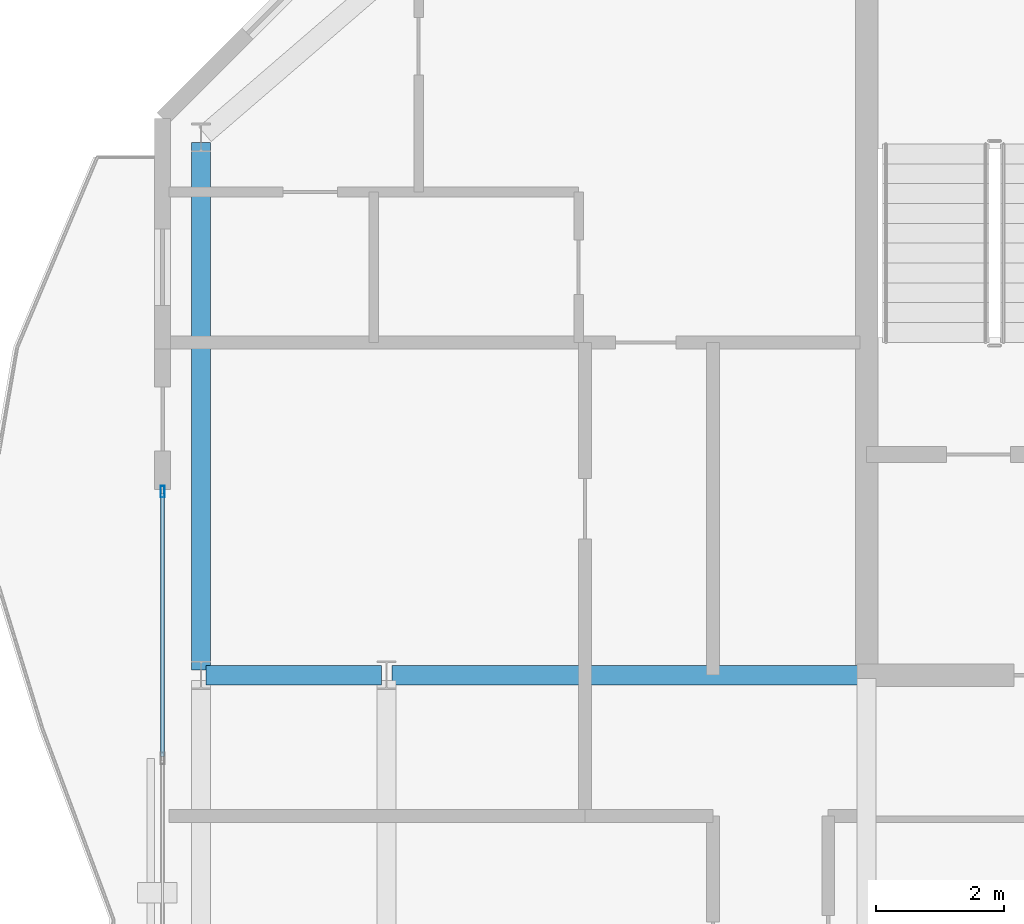
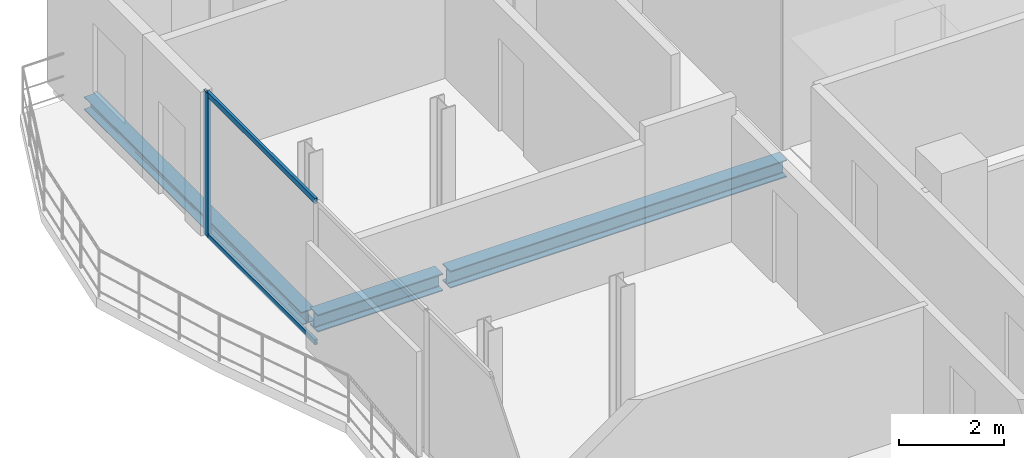
# One storey, part 9 of 23: 3 beams, 3 members, 1 element without a shape of its own.
"""IFC4 building model written with IfcOpenShell, lengths in metres."""

import ifcopenshell
import ifcopenshell.guid

model = None  # the IFC model being written
_history = None  # IfcOwnerHistory: only IFC2X3 demands one
_inside = {}  # id of a spatial element -> (the spatial element, [elements in it])
_under = {}  # id of a project, library or spatial element -> (it, [spatial elements below it])
_declared = {}  # id of a project -> (the project, [libraries it declares])
_typed = {}  # id of a type object -> (the type object, [elements of that type])
_made_of = {}  # id of a material, layer set ... -> (it, [elements and type objects made of it])


def new_model(schema):
    """Start an empty IFC model of exactly this schema.

    Asked for "IFC4X3", IfcOpenShell would pick the latest addendum, in which some entities
    have other attributes; the version numbers below select the first issue.
    IFC2X3 requires an IfcOwnerHistory on every rooted entity: one is made here for all.
    """
    global model, _history
    if schema == "IFC4X3":
        model = ifcopenshell.file(schema_version=(4, 3, 0, 0))
    else:
        model = ifcopenshell.file(schema=schema)
    _inside.clear()
    _under.clear()
    _declared.clear()
    _typed.clear()
    _made_of.clear()
    _history = None
    if model.schema == "IFC2X3":
        org = make("IfcOrganization", Name="unknown")
        user = make(
            "IfcPersonAndOrganization",
            ThePerson=make("IfcPerson", FamilyName="unknown"),
            TheOrganization=org,
        )
        app = make(
            "IfcApplication",
            ApplicationDeveloper=org,
            Version="unknown",
            ApplicationFullName="unknown",
            ApplicationIdentifier="unknown",
        )
        _history = make(
            "IfcOwnerHistory",
            OwningUser=user,
            OwningApplication=app,
            ChangeAction="ADDED",
            CreationDate=0,
        )
    return model


def make(cls, **values):
    """One entity of the class cls with the attributes given. An attribute that is None is left unset."""
    return model.create_entity(
        cls, **{name: value for name, value in values.items() if value is not None}
    )


def rooted(cls, **values):
    """An entity with a GlobalId (a new one), such as an element, a storey or a relation."""
    return make(cls, GlobalId=ifcopenshell.guid.new(), OwnerHistory=_history, **values)


def si_unit(unit_type, name, prefix=None):
    """IfcSIUnit, for example si_unit("LENGTHUNIT", "METRE", prefix="MILLI")."""
    return make("IfcSIUnit", UnitType=unit_type, Prefix=prefix, Name=name)


def assignment(units):
    """IfcUnitAssignment: the units of a project."""
    return None if units is None else make("IfcUnitAssignment", Units=units)


def point(xyz):
    """IfcCartesianPoint."""
    return None if xyz is None else make("IfcCartesianPoint", Coordinates=xyz)


def direction(xyz):
    """IfcDirection."""
    return None if xyz is None else make("IfcDirection", DirectionRatios=xyz)


def frame(location, z_axis=None, x_axis=None):
    """IfcAxis2Placement3D, a coordinate frame: its origin and axes. An axis left out is left unset."""
    return make(
        "IfcAxis2Placement3D",
        Location=point(location),
        Axis=direction(z_axis),
        RefDirection=direction(x_axis),
    )


def frame_2d(location, x_axis=None):
    """IfcAxis2Placement2D, a coordinate frame in the plane: its origin and x axis."""
    return make(
        "IfcAxis2Placement2D", Location=point(location), RefDirection=direction(x_axis)
    )


def origin():
    """The frame at (0, 0, 0) with its axes left unset."""
    return frame((0.0, 0.0, 0.0))


def origin_2d():
    """The frame at (0, 0) in the plane with its x axis left unset."""
    return frame_2d((0.0, 0.0))


def place(relative_to, where):
    """IfcLocalPlacement: puts the frame where relative to a parent placement (None: the world)."""
    return make(
        "IfcLocalPlacement", PlacementRelTo=relative_to, RelativePlacement=where
    )


def context(
    kind, dimensions, precision=None, world=None, true_north=None, identifier=None
):
    """IfcGeometricRepresentationContext, for example the 3D "Model" context."""
    return make(
        "IfcGeometricRepresentationContext",
        ContextIdentifier=identifier,
        ContextType=kind,
        CoordinateSpaceDimension=dimensions,
        Precision=precision,
        WorldCoordinateSystem=world,
        TrueNorth=true_north,
    )


def subcontext(parent, identifier, kind, view, scale=None):
    """IfcGeometricRepresentationSubContext, for example "Body" below "Model"."""
    return make(
        "IfcGeometricRepresentationSubContext",
        ContextIdentifier=identifier,
        ContextType=kind,
        ParentContext=parent,
        TargetScale=scale,
        TargetView=view,
    )


def project(units=None, contexts=None):
    """IfcProject with its units and contexts."""
    return rooted(
        "IfcProject",
        Name="project",
        RepresentationContexts=contexts,
        UnitsInContext=assignment(units),
    )


def spatial(cls, under=None, at=None, **own):
    """A site, building, storey or space (cls), placed at a placement, below another one or the project."""
    s = rooted(cls, ObjectPlacement=at, **own)
    if under is not None:
        _under.setdefault(under.id(), (under, []))[1].append(s)
    return s


def profile(cls, at=None, kind="AREA", **sizes):
    """A parametric profile (cls). Its sizes go by their IFC names, for example OverallWidth=200.0."""
    return make(cls, ProfileType=kind, Position=at, **sizes)


def hollow_rectangle(**sizes):
    """IfcRectangleHollowProfileDef."""
    return profile("IfcRectangleHollowProfileDef", **sizes)


def i_section(**sizes):
    """IfcIShapeProfileDef."""
    return profile("IfcIShapeProfileDef", **sizes)


def extrude(swept, where, along, depth):
    """IfcExtrudedAreaSolid: the profile swept, set in the frame where, extruded along a direction by depth."""
    return make(
        "IfcExtrudedAreaSolid",
        SweptArea=swept,
        Position=where,
        ExtrudedDirection=direction(along),
        Depth=depth,
    )


def shape(context_of_items, identifier, shape_type, items):
    """IfcShapeRepresentation: the items that make up one representation, for example the "Body"."""
    return make(
        "IfcShapeRepresentation",
        ContextOfItems=context_of_items,
        RepresentationIdentifier=identifier,
        RepresentationType=shape_type,
        Items=items,
    )


def material(Name=None, Category=None):
    """IfcMaterial."""
    return make("IfcMaterial", Name=Name, Category=Category)


def layer(
    of_material, thickness, ventilated=None, Name=None, Category=None, Priority=None
):
    """IfcMaterialLayer: one layer of a wall or slab, of a material (None: an air gap)."""
    return make(
        "IfcMaterialLayer",
        Material=of_material,
        LayerThickness=thickness,
        IsVentilated=ventilated,
        Name=Name,
        Category=Category,
        Priority=Priority,
    )


def layer_set(layers, Name=None):
    """IfcMaterialLayerSet."""
    return make("IfcMaterialLayerSet", MaterialLayers=layers, LayerSetName=Name)


def material_profile(
    of_material, cross_section, Name=None, Category=None, Priority=None
):
    """IfcMaterialProfile: a cross section and its material."""
    return make(
        "IfcMaterialProfile",
        Name=Name,
        Material=of_material,
        Profile=cross_section,
        Priority=Priority,
        Category=Category,
    )


def profile_set(profiles, Name=None, composite=None):
    """IfcMaterialProfileSet."""
    return make(
        "IfcMaterialProfileSet",
        Name=Name,
        MaterialProfiles=profiles,
        CompositeProfile=composite,
    )


def made_of(thing, what):
    """Note that an element or type object is made of a material, layer set ...; save() writes the relation."""
    if what is not None:
        _made_of.setdefault(what.id(), (what, []))[1].append(thing)
    return thing


def type_object(cls, material=None, **own):
    """A type object (cls), such as IfcWallType, which elements share."""
    return made_of(rooted(cls, **own), material)


def element(
    cls,
    number,
    at=None,
    inside=None,
    cuts=None,
    type_object=None,
    material=None,
    context=None,
    identifier="Body",
    shape_type=None,
    held_by="IfcProductDefinitionShape",
    body=None,
    shapes=None,
    **own,
):
    """One element of the class cls, such as IfcWall. Its Tag is "e" and its number.

    at: its placement. inside: the storey or other place that contains it. cuts: it is an
    opening in that element (IfcRelVoidsElement). A single representation is given by context,
    identifier, shape_type and body (its items); several are given by shapes. held_by: the class
    of the entity that holds the representations. save() writes the other relations.
    """
    e = rooted(cls, Tag="e%d" % number, ObjectPlacement=at, **own)
    if body is not None:
        shapes = [shape(context, identifier, shape_type, body)]
    if shapes is not None:
        e.Representation = make(held_by, Representations=shapes)
    if inside is not None:
        _inside.setdefault(inside.id(), (inside, []))[1].append(e)
    if cuts is not None:
        rooted(
            "IfcRelVoidsElement", RelatingBuildingElement=cuts, RelatedOpeningElement=e
        )
    if type_object is not None:
        _typed.setdefault(type_object.id(), (type_object, []))[1].append(e)
    return made_of(e, material)


def aggregate(whole, parts):
    """IfcRelAggregates: a whole, such as a stair, and the parts it consists of."""
    return rooted("IfcRelAggregates", RelatingObject=whole, RelatedObjects=parts)


def save(model, path):
    """Write the relations noted so far, then the file.

    IfcRelAggregates (storeys below a building ...), IfcRelContainedInSpatialStructure (elements
    in a storey), IfcRelDefinesByType, IfcRelAssociatesMaterial and IfcRelDeclares: one each for
    every whole, place, type object, material and project.
    """
    for whole, parts in _under.values():
        aggregate(whole, parts)
    for where, things in _inside.values():
        rooted(
            "IfcRelContainedInSpatialStructure",
            RelatedElements=things,
            RelatingStructure=where,
        )
    for kind, things in _typed.values():
        rooted("IfcRelDefinesByType", RelatedObjects=things, RelatingType=kind)
    for what, things in _made_of.values():
        rooted("IfcRelAssociatesMaterial", RelatedObjects=things, RelatingMaterial=what)
    for by, libraries in _declared.values():
        rooted("IfcRelDeclares", RelatingContext=by, RelatedDefinitions=libraries)
    model.write(path)


model = new_model("IFC4")

# Units and contexts
model_context = context("Model", 3, precision=1e-05, world=origin(), true_north=direction((0.0, 1.0)))
body_context = subcontext(model_context, "Body", "Model", "MODEL_VIEW")
ifc_project = project(units=[si_unit("LENGTHUNIT", "METRE"), si_unit("AREAUNIT", "SQUARE_METRE"), si_unit("VOLUMEUNIT", "CUBIC_METRE"), si_unit("PLANEANGLEUNIT", "RADIAN"), si_unit("MASSUNIT", "GRAM", prefix="KILO")], contexts=[model_context])

# Site, building, storey
site_placement = place(None, origin())
site = spatial("IfcSite", under=ifc_project, at=site_placement, CompositionType="ELEMENT")
building_placement = place(site_placement, origin())
building = spatial("IfcBuilding", under=site, at=building_placement, Name="Catumbela Crestline Tower", CompositionType="ELEMENT")
storey_placement = place(building_placement, frame((0.0, 0.0, 197.4)))
storey = spatial("IfcBuildingStorey", under=building, at=storey_placement, Name="L51", CompositionType="ELEMENT", Elevation=197.4)

# Beams
ifc_material_1 = material(Name="Structural steel S355J2", Category="steel")
ifc_material_profile_1 = material_profile(ifc_material_1, i_section(OverallWidth=0.3, OverallDepth=0.4, WebThickness=0.0135, FlangeThickness=0.024, FilletRadius=0.027, at=origin_2d()), Name="HEB 400")
ifc_profile_set_1 = profile_set([ifc_material_profile_1], Name="Structural steel S355J2")
beam_type_1 = type_object("IfcBeamType", Name="BG-HEB400", PredefinedType="BEAM", material=ifc_profile_set_1)
beam_1_placement = place(storey_placement, frame((5.68, 30.8, -0.46), z_axis=(1.0, 0.0, 0.0), x_axis=(0.0, 1.0, 0.0)))
element("IfcBeam", 1, at=beam_1_placement, inside=storey, type_object=beam_type_1, Name="L51 Beam BM-L51-M06", PredefinedType="BEAM", context=body_context, shape_type="SweptSolid", body=[
    extrude(i_section(OverallWidth=0.3, OverallDepth=0.4, WebThickness=0.0135, FlangeThickness=0.024, FilletRadius=0.027, at=origin_2d()), origin(), (0.0, 0.0, 1.0), 2.74),
])
beam_2_placement = place(storey_placement, frame((8.58, 30.8, -0.46), z_axis=(1.0, 0.0, 0.0), x_axis=(0.0, 1.0, 0.0)))
element("IfcBeam", 2, at=beam_2_placement, inside=storey, type_object=beam_type_1, Name="L51 Beam BM-L51-M07", PredefinedType="BEAM", context=body_context, shape_type="SweptSolid", body=[
    extrude(i_section(OverallWidth=0.3, OverallDepth=0.4, WebThickness=0.0135, FlangeThickness=0.024, FilletRadius=0.027, at=origin_2d()), origin(), (0.0, 0.0, 1.0), 7.37),
])

# Curtain wall, member
ifc_material_2 = material(Name="Aluminium alloy AW-6060-T66", Category="aluminium")
ifc_layer = layer(ifc_material_2, 0.18, Name="Aluminium alloy AW-6060-T66")
ifc_layer_set = layer_set([ifc_layer], Name="Aluminium alloy AW-6060-T66")
curtain_wall_type = type_object("IfcCurtainWallType", Name="CWU-Z3", PredefinedType="USERDEFINED", material=ifc_layer_set)
curtain_wall_placement = place(storey_placement, origin())
curtain_wall = element("IfcCurtainWall", 3, at=curtain_wall_placement, inside=storey, type_object=curtain_wall_type, Name="L51 Unitised Curtain Wall CW-L51-E9S2", ObjectType="UNITISED", PredefinedType="USERDEFINED")
ifc_material_profile_2 = material_profile(ifc_material_2, hollow_rectangle(XDim=0.065, YDim=0.18, WallThickness=0.004, at=origin_2d()), Name="ALU 180x65x4")
ifc_profile_set_2 = profile_set([ifc_material_profile_2], Name="Aluminium alloy AW-6060-T66")
member_type_1 = type_object("IfcMemberType", Name="MUL-180X65", PredefinedType="MULLION", material=ifc_profile_set_2)
member_1_placement = place(storey_placement, frame((5.0, 33.6675, 0.0), z_axis=(0.0, 0.0, 1.0), x_axis=(1.0, 0.0, 0.0)))
member_1 = element("IfcMember", 4, at=member_1_placement, type_object=member_type_1, Name="CWU-Z3 mullion 1", PredefinedType="MULLION", context=body_context, shape_type="SweptSolid", body=[
    extrude(hollow_rectangle(XDim=0.065, YDim=0.18, WallThickness=0.004, at=origin_2d()), origin(), (0.0, 0.0, 1.0), 3.33),
])

# Beam
ifc_material_profile_3 = material_profile(ifc_material_1, i_section(OverallWidth=0.3, OverallDepth=0.3, WebThickness=0.011, FlangeThickness=0.019, FilletRadius=0.027, at=origin_2d()), Name="HEB 300")
ifc_profile_set_3 = profile_set([ifc_material_profile_3], Name="Structural steel S355J2")
beam_type_2 = type_object("IfcBeamType", Name="BS-HEB300", PredefinedType="SPANDREL", material=ifc_profile_set_3)
beam_3_placement = place(storey_placement, frame((5.6, 30.88, -0.41), z_axis=(0.0, 1.0, 0.0), x_axis=(-1.0, 0.0, 0.0)))
element("IfcBeam", 5, at=beam_3_placement, inside=storey, type_object=beam_type_2, Name="L51 Spandrel SP-L51-SN15", PredefinedType="SPANDREL", context=body_context, shape_type="SweptSolid", body=[
    extrude(i_section(OverallWidth=0.3, OverallDepth=0.3, WebThickness=0.011, FlangeThickness=0.019, FilletRadius=0.027, at=origin_2d()), origin(), (0.0, 0.0, 1.0), 8.24),
])

# Member
ifc_material_profile_4 = material_profile(ifc_material_2, hollow_rectangle(XDim=0.06, YDim=0.12, WallThickness=0.0035, at=origin_2d()), Name="ALU 120x60x3.5")
ifc_profile_set_4 = profile_set([ifc_material_profile_4], Name="Aluminium alloy AW-6060-T66")
member_type_2 = type_object("IfcMemberType", Name="TRN-120X60", PredefinedType="USERDEFINED", material=ifc_profile_set_4)
member_2_placement = place(storey_placement, frame((5.0, 33.635, 0.03), z_axis=(0.0, -1.0, 0.0), x_axis=(1.0, 0.0, 0.0)))
member_2 = element("IfcMember", 6, at=member_2_placement, type_object=member_type_2, Name="CWU-Z3 transom 1.1", ObjectType="TRANSOM", PredefinedType="USERDEFINED", context=body_context, shape_type="SweptSolid", body=[
    extrude(hollow_rectangle(XDim=0.06, YDim=0.12, WallThickness=0.0035, at=origin_2d()), origin(), (0.0, 0.0, 1.0), 4.1025),
])

member_3_placement = place(storey_placement, frame((5.0, 33.635, 3.3), z_axis=(0.0, -1.0, 0.0), x_axis=(1.0, 0.0, 0.0)))
member_3 = element("IfcMember", 7, at=member_3_placement, type_object=member_type_2, Name="CWU-Z3 transom 1.2", ObjectType="TRANSOM", PredefinedType="USERDEFINED", context=body_context, shape_type="SweptSolid", body=[
    extrude(hollow_rectangle(XDim=0.06, YDim=0.12, WallThickness=0.0035, at=origin_2d()), origin(), (0.0, 0.0, 1.0), 4.1025),
])

aggregate(curtain_wall, [member_1, member_2, member_3])

save(model, "model.ifc")
